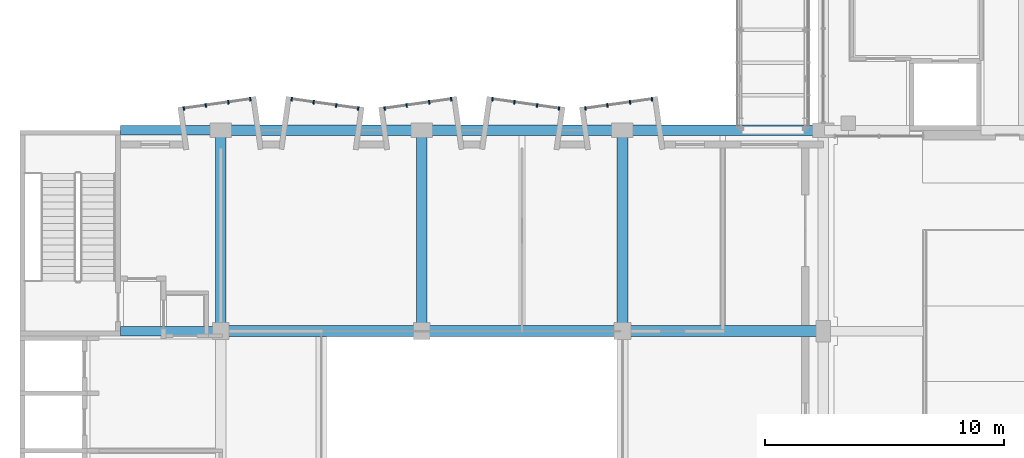
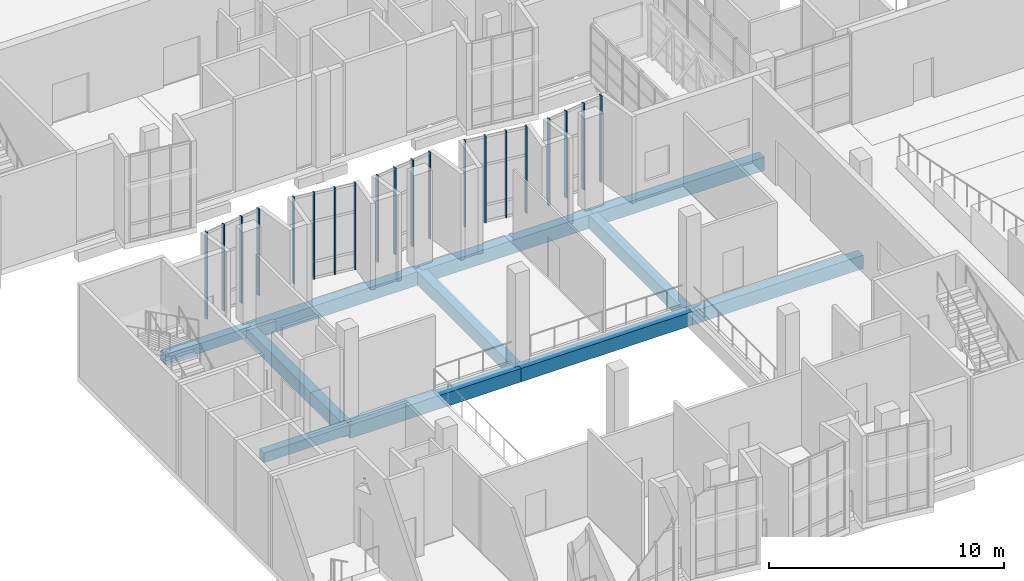
# One storey, part 4 of 67: 20 members, 11 beams, 5 elements without a shape of their own.
"""IFC4 building model written with IfcOpenShell, lengths in metres."""

from ifc_helpers import new_model, si_unit, direction, frame, origin, origin_2d, place, context, subcontext, project, spatial, rectangle, extrude, material, layer, layer_set, material_profile, profile_set, type_object, element, aggregate, save


model = new_model("IFC4")

# Units and contexts
model_context = context("Model", 3, precision=1e-05, world=origin(), true_north=direction((0.0, 1.0)))
body_context = subcontext(model_context, "Body", "Model", "MODEL_VIEW")
ifc_project = project(units=[si_unit("LENGTHUNIT", "METRE"), si_unit("AREAUNIT", "SQUARE_METRE"), si_unit("VOLUMEUNIT", "CUBIC_METRE"), si_unit("PLANEANGLEUNIT", "RADIAN"), si_unit("MASSUNIT", "GRAM", prefix="KILO")], contexts=[model_context])

# Site, building, storey
site_placement = place(None, origin())
site = spatial("IfcSite", under=ifc_project, at=site_placement, CompositionType="ELEMENT")
building_placement = place(site_placement, origin())
building = spatial("IfcBuilding", under=site, at=building_placement, Name="Kiln Court Media Centre", CompositionType="ELEMENT")
storey_placement = place(building_placement, frame((0.0, 0.0, 19.800048828125)))
storey = spatial("IfcBuildingStorey", under=building, at=storey_placement, Name="L04", CompositionType="ELEMENT", Elevation=19.800048828125)

# Curtain wall, members
ifc_material_1 = material(Name="Aluminium 6063-T6", Category="aluminium")
ifc_layer = layer(ifc_material_1, 0.1201171875)
ifc_layer_set = layer_set([ifc_layer], Name="Aluminium unitised bay curtain wall")
curtain_wall_type = type_object("IfcCurtainWallType", Name="Aluminium unitised bay curtain wall", PredefinedType="USERDEFINED", material=ifc_layer_set)
curtain_wall_1_placement = place(storey_placement, origin())
curtain_wall_1 = element("IfcCurtainWall", 1, at=curtain_wall_1_placement, inside=storey, type_object=curtain_wall_type, Name="BAY V6A-N-L04-24 front", ObjectType="UNITISED CURTAIN WALL", PredefinedType="USERDEFINED")
ifc_material_2 = material(Name="Aluminium 6063-T6", Category="aluminium")
ifc_material_profile_1 = material_profile(ifc_material_2, rectangle(XDim=0.06005859375, YDim=0.159912109375, at=origin_2d()), Name="Aluminium mullion 60x160")
ifc_profile_set_1 = profile_set([ifc_material_profile_1], Name="Aluminium 6063-T6")
member_type = type_object("IfcMemberType", Name="Aluminium mullion 60x160", PredefinedType="MULLION", material=ifc_profile_set_1)
member_1_placement = place(storey_placement, frame((6.852783203125, 26.113525390625, 0.0), z_axis=(0.0, 0.0, 1.0), x_axis=(0.990269562409, 0.139162472554, 0.0)))
member_1 = element("IfcMember", 2, at=member_1_placement, type_object=member_type, Name="CW4-03 mullion 1", PredefinedType="MULLION", context=body_context, shape_type="SweptSolid", body=[
    extrude(rectangle(XDim=0.06005859375, YDim=0.159912109375, at=origin_2d()), origin(), (0.0, 0.0, 1.0), 4.5),
])
member_2_placement = place(storey_placement, frame((7.7705078125, 26.242431640625, 0.0), z_axis=(0.0, 0.0, 1.0), x_axis=(0.990269562409, 0.139162472554, 0.0)))
member_2 = element("IfcMember", 3, at=member_2_placement, type_object=member_type, Name="CW4-03 mullion 2", PredefinedType="MULLION", context=body_context, shape_type="SweptSolid", body=[
    extrude(rectangle(XDim=0.06005859375, YDim=0.159912109375, at=origin_2d()), origin(), (0.0, 0.0, 1.0), 4.5),
])
member_3_placement = place(storey_placement, frame((8.7177734375, 26.375732421875, 0.0), z_axis=(0.0, 0.0, 1.0), x_axis=(0.990269562409, 0.139162472554, 0.0)))
member_3 = element("IfcMember", 4, at=member_3_placement, type_object=member_type, Name="CW4-03 mullion 3", PredefinedType="MULLION", context=body_context, shape_type="SweptSolid", body=[
    extrude(rectangle(XDim=0.06005859375, YDim=0.159912109375, at=origin_2d()), origin(), (0.0, 0.0, 1.0), 4.5),
])
member_4_placement = place(storey_placement, frame((9.635498046875, 26.504638671875, 0.0), z_axis=(0.0, 0.0, 1.0), x_axis=(0.990269562409, 0.139162472554, 0.0)))
member_4 = element("IfcMember", 5, at=member_4_placement, type_object=member_type, Name="CW4-03 mullion 4", PredefinedType="MULLION", context=body_context, shape_type="SweptSolid", body=[
    extrude(rectangle(XDim=0.06005859375, YDim=0.159912109375, at=origin_2d()), origin(), (0.0, 0.0, 1.0), 4.5),
])
aggregate(curtain_wall_1, [member_1, member_2, member_3, member_4])

curtain_wall_2_placement = place(storey_placement, origin())
curtain_wall_2 = element("IfcCurtainWall", 6, at=curtain_wall_2_placement, inside=storey, type_object=curtain_wall_type, Name="BAY V6A-N-L04-25 front", ObjectType="UNITISED CURTAIN WALL", PredefinedType="USERDEFINED")
member_5_placement = place(storey_placement, frame((11.364501953125, 26.504638671875, 0.0), z_axis=(0.0, 0.0, 1.0), x_axis=(0.990269562409, -0.139162472554, 0.0)))
member_5 = element("IfcMember", 7, at=member_5_placement, type_object=member_type, Name="CW4-04 mullion 1", PredefinedType="MULLION", context=body_context, shape_type="SweptSolid", body=[
    extrude(rectangle(XDim=0.06005859375, YDim=0.159912109375, at=origin_2d()), origin(), (0.0, 0.0, 1.0), 4.5),
])
member_6_placement = place(storey_placement, frame((12.2822265625, 26.375732421875, 0.0), z_axis=(0.0, 0.0, 1.0), x_axis=(0.990269562409, -0.139162472554, 0.0)))
member_6 = element("IfcMember", 8, at=member_6_placement, type_object=member_type, Name="CW4-04 mullion 2", PredefinedType="MULLION", context=body_context, shape_type="SweptSolid", body=[
    extrude(rectangle(XDim=0.06005859375, YDim=0.159912109375, at=origin_2d()), origin(), (0.0, 0.0, 1.0), 4.5),
])
member_7_placement = place(storey_placement, frame((13.2294921875, 26.242431640625, 0.0), z_axis=(0.0, 0.0, 1.0), x_axis=(0.990269562409, -0.139162472554, 0.0)))
member_7 = element("IfcMember", 9, at=member_7_placement, type_object=member_type, Name="CW4-04 mullion 3", PredefinedType="MULLION", context=body_context, shape_type="SweptSolid", body=[
    extrude(rectangle(XDim=0.06005859375, YDim=0.159912109375, at=origin_2d()), origin(), (0.0, 0.0, 1.0), 4.5),
])
member_8_placement = place(storey_placement, frame((14.147216796875, 26.113525390625, 0.0), z_axis=(0.0, 0.0, 1.0), x_axis=(0.990269562409, -0.139162472554, 0.0)))
member_8 = element("IfcMember", 10, at=member_8_placement, type_object=member_type, Name="CW4-04 mullion 4", PredefinedType="MULLION", context=body_context, shape_type="SweptSolid", body=[
    extrude(rectangle(XDim=0.06005859375, YDim=0.159912109375, at=origin_2d()), origin(), (0.0, 0.0, 1.0), 4.5),
])
aggregate(curtain_wall_2, [member_5, member_6, member_7, member_8])

curtain_wall_3_placement = place(storey_placement, origin())
curtain_wall_3 = element("IfcCurtainWall", 11, at=curtain_wall_3_placement, inside=storey, type_object=curtain_wall_type, Name="BAY V6A-N-L04-26 front", ObjectType="UNITISED CURTAIN WALL", PredefinedType="USERDEFINED")
member_9_placement = place(storey_placement, frame((15.2529296875, 26.113525390625, 0.0), z_axis=(0.0, 0.0, 1.0), x_axis=(0.990269562409, 0.139162472554, 0.0)))
member_9 = element("IfcMember", 12, at=member_9_placement, type_object=member_type, Name="CW4-05 mullion 1", PredefinedType="MULLION", context=body_context, shape_type="SweptSolid", body=[
    extrude(rectangle(XDim=0.06005859375, YDim=0.159912109375, at=origin_2d()), origin(), (0.0, 0.0, 1.0), 4.5),
])
member_10_placement = place(storey_placement, frame((16.17041015625, 26.242431640625, 0.0), z_axis=(0.0, 0.0, 1.0), x_axis=(0.990269562409, 0.139162472554, 0.0)))
member_10 = element("IfcMember", 13, at=member_10_placement, type_object=member_type, Name="CW4-05 mullion 2", PredefinedType="MULLION", context=body_context, shape_type="SweptSolid", body=[
    extrude(rectangle(XDim=0.06005859375, YDim=0.159912109375, at=origin_2d()), origin(), (0.0, 0.0, 1.0), 4.5),
])
member_11_placement = place(storey_placement, frame((17.117919921875, 26.375732421875, 0.0), z_axis=(0.0, 0.0, 1.0), x_axis=(0.990269562409, 0.139162472554, 0.0)))
member_11 = element("IfcMember", 14, at=member_11_placement, type_object=member_type, Name="CW4-05 mullion 3", PredefinedType="MULLION", context=body_context, shape_type="SweptSolid", body=[
    extrude(rectangle(XDim=0.06005859375, YDim=0.159912109375, at=origin_2d()), origin(), (0.0, 0.0, 1.0), 4.5),
])
member_12_placement = place(storey_placement, frame((18.035400390625, 26.504638671875, 0.0), z_axis=(0.0, 0.0, 1.0), x_axis=(0.990269562409, 0.139162472554, 0.0)))
member_12 = element("IfcMember", 15, at=member_12_placement, type_object=member_type, Name="CW4-05 mullion 4", PredefinedType="MULLION", context=body_context, shape_type="SweptSolid", body=[
    extrude(rectangle(XDim=0.06005859375, YDim=0.159912109375, at=origin_2d()), origin(), (0.0, 0.0, 1.0), 4.5),
])
aggregate(curtain_wall_3, [member_9, member_10, member_11, member_12])

curtain_wall_4_placement = place(storey_placement, origin())
curtain_wall_4 = element("IfcCurtainWall", 16, at=curtain_wall_4_placement, inside=storey, type_object=curtain_wall_type, Name="BAY V6A-N-L04-27 front", ObjectType="UNITISED CURTAIN WALL", PredefinedType="USERDEFINED")
member_13_placement = place(storey_placement, frame((19.764404296875, 26.504638671875, 0.0), z_axis=(0.0, 0.0, 1.0), x_axis=(0.990269562409, -0.139162472554, 0.0)))
member_13 = element("IfcMember", 17, at=member_13_placement, type_object=member_type, Name="CW4-06 mullion 1", PredefinedType="MULLION", context=body_context, shape_type="SweptSolid", body=[
    extrude(rectangle(XDim=0.06005859375, YDim=0.159912109375, at=origin_2d()), origin(), (0.0, 0.0, 1.0), 4.5),
])
member_14_placement = place(storey_placement, frame((20.68212890625, 26.375732421875, 0.0), z_axis=(0.0, 0.0, 1.0), x_axis=(0.990269562409, -0.139162472554, 0.0)))
member_14 = element("IfcMember", 18, at=member_14_placement, type_object=member_type, Name="CW4-06 mullion 2", PredefinedType="MULLION", context=body_context, shape_type="SweptSolid", body=[
    extrude(rectangle(XDim=0.06005859375, YDim=0.159912109375, at=origin_2d()), origin(), (0.0, 0.0, 1.0), 4.5),
])
member_15_placement = place(storey_placement, frame((21.629638671875, 26.242431640625, 0.0), z_axis=(0.0, 0.0, 1.0), x_axis=(0.990269562409, -0.139162472554, 0.0)))
member_15 = element("IfcMember", 19, at=member_15_placement, type_object=member_type, Name="CW4-06 mullion 3", PredefinedType="MULLION", context=body_context, shape_type="SweptSolid", body=[
    extrude(rectangle(XDim=0.06005859375, YDim=0.159912109375, at=origin_2d()), origin(), (0.0, 0.0, 1.0), 4.5),
])
member_16_placement = place(storey_placement, frame((22.547119140625, 26.113525390625, 0.0), z_axis=(0.0, 0.0, 1.0), x_axis=(0.990269562409, -0.139162472554, 0.0)))
member_16 = element("IfcMember", 20, at=member_16_placement, type_object=member_type, Name="CW4-06 mullion 4", PredefinedType="MULLION", context=body_context, shape_type="SweptSolid", body=[
    extrude(rectangle(XDim=0.06005859375, YDim=0.159912109375, at=origin_2d()), origin(), (0.0, 0.0, 1.0), 4.5),
])
aggregate(curtain_wall_4, [member_13, member_14, member_15, member_16])

curtain_wall_5_placement = place(storey_placement, origin())
curtain_wall_5 = element("IfcCurtainWall", 21, at=curtain_wall_5_placement, inside=storey, type_object=curtain_wall_type, Name="BAY V6A-N-L04-28 front", ObjectType="UNITISED CURTAIN WALL", PredefinedType="USERDEFINED")
member_17_placement = place(storey_placement, frame((23.65283203125, 26.113525390625, 0.0), z_axis=(0.0, 0.0, 1.0), x_axis=(0.990269562409, 0.139162472554, 0.0)))
member_17 = element("IfcMember", 22, at=member_17_placement, type_object=member_type, Name="CW4-07 mullion 1", PredefinedType="MULLION", context=body_context, shape_type="SweptSolid", body=[
    extrude(rectangle(XDim=0.06005859375, YDim=0.159912109375, at=origin_2d()), origin(), (0.0, 0.0, 1.0), 4.5),
])
member_18_placement = place(storey_placement, frame((24.570556640625, 26.242431640625, 0.0), z_axis=(0.0, 0.0, 1.0), x_axis=(0.990269562409, 0.139162472554, 0.0)))
member_18 = element("IfcMember", 23, at=member_18_placement, type_object=member_type, Name="CW4-07 mullion 2", PredefinedType="MULLION", context=body_context, shape_type="SweptSolid", body=[
    extrude(rectangle(XDim=0.06005859375, YDim=0.159912109375, at=origin_2d()), origin(), (0.0, 0.0, 1.0), 4.5),
])
member_19_placement = place(storey_placement, frame((25.517822265625, 26.375732421875, 0.0), z_axis=(0.0, 0.0, 1.0), x_axis=(0.990269562409, 0.139162472554, 0.0)))
member_19 = element("IfcMember", 24, at=member_19_placement, type_object=member_type, Name="CW4-07 mullion 3", PredefinedType="MULLION", context=body_context, shape_type="SweptSolid", body=[
    extrude(rectangle(XDim=0.06005859375, YDim=0.159912109375, at=origin_2d()), origin(), (0.0, 0.0, 1.0), 4.5),
])
member_20_placement = place(storey_placement, frame((26.435546875, 26.504638671875, 0.0), z_axis=(0.0, 0.0, 1.0), x_axis=(0.990269562409, 0.139162472554, 0.0)))
member_20 = element("IfcMember", 25, at=member_20_placement, type_object=member_type, Name="CW4-07 mullion 4", PredefinedType="MULLION", context=body_context, shape_type="SweptSolid", body=[
    extrude(rectangle(XDim=0.06005859375, YDim=0.159912109375, at=origin_2d()), origin(), (0.0, 0.0, 1.0), 4.5),
])
aggregate(curtain_wall_5, [member_17, member_18, member_19, member_20])

# Beams
ifc_material_3 = material(Name="Concrete C30/37", Category="concrete")
ifc_material_profile_2 = material_profile(ifc_material_3, rectangle(XDim=0.39990234375, YDim=0.5, at=origin_2d()), Name="RC 400x500")
ifc_profile_set_2 = profile_set([ifc_material_profile_2], Name="Concrete C30/37")
beam_type_1 = type_object("IfcBeamType", Name="Concrete C30/37 beam 400x500", PredefinedType="BEAM", material=ifc_profile_set_2)
for number, where, z_axis, x_axis, name in (
    (26, (4.199951171875, 16.800048828125, -0.550048828125), (1.0, 0.0, 0.0), (0.0, 1.0, 0.0), "L04-B-1031"),
    (27, (4.199951171875, 25.199951171875, -0.550048828125), (1.0, 0.0, 0.0), (0.0, 1.0, 0.0), "L04-B-1035"),
):
    element("IfcBeam", number, at=place(storey_placement, frame(where, z_axis=z_axis, x_axis=x_axis)), inside=storey, type_object=beam_type_1, Name=name, PredefinedType="BEAM", context=body_context, shape_type="SweptSolid", body=[
        extrude(rectangle(XDim=0.39990234375, YDim=0.5, at=origin_2d()), origin(), (0.0, 0.0, 1.0), 4.199951171875),
    ])
ifc_material_4 = material(Name="Concrete C30/37", Category="concrete")
ifc_material_profile_3 = material_profile(ifc_material_4, rectangle(XDim=0.449951171875, YDim=0.699951171875, at=origin_2d()), Name="RC 450x700")
ifc_profile_set_3 = profile_set([ifc_material_profile_3], Name="Concrete C30/37")
beam_type_2 = type_object("IfcBeamType", Name="Concrete C30/37 beam 450x700", PredefinedType="BEAM", material=ifc_profile_set_3)
for number, where, z_axis, x_axis, name in (
    (28, (8.39990234375, 16.800048828125, -0.650146484375), (0.0, 1.0, 0.0), (-1.0, 0.0, 0.0), "L04-B-1014"),
    (29, (16.800048828125, 16.800048828125, -0.650146484375), (0.0, 1.0, 0.0), (-1.0, 0.0, 0.0), "L04-B-1016"),
    (30, (25.199951171875, 16.800048828125, -0.650146484375), (0.0, 1.0, 0.0), (-1.0, 0.0, 0.0), "L04-B-1019"),
):
    element("IfcBeam", number, at=place(storey_placement, frame(where, z_axis=z_axis, x_axis=x_axis)), inside=storey, type_object=beam_type_2, Name=name, PredefinedType="BEAM", context=body_context, shape_type="SweptSolid", body=[
        extrude(rectangle(XDim=0.449951171875, YDim=0.699951171875, at=origin_2d()), origin(), (0.0, 0.0, 1.0), 8.39990234375),
    ])
beam_1_placement = place(storey_placement, frame((8.39990234375, 16.800048828125, -0.650146484375), z_axis=(1.0, 0.0, 0.0), x_axis=(0.0, 1.0, 0.0)))
element("IfcBeam", 31, at=beam_1_placement, inside=storey, type_object=beam_type_2, Name="L04-B-1032", PredefinedType="BEAM", context=body_context, shape_type="SweptSolid", body=[
    extrude(rectangle(XDim=0.449951171875, YDim=0.699951171875, at=origin_2d()), origin(), (0.0, 0.0, 1.0), 8.400146484375),
])
beam_2_placement = place(storey_placement, frame((16.800048828125, 16.800048828125, -0.650146484375), z_axis=(1.0, 0.0, 0.0), x_axis=(0.0, 1.0, 0.0)))
element("IfcBeam", 32, at=beam_2_placement, inside=storey, type_object=beam_type_2, Name="L04-B-1033", PredefinedType="BEAM", context=body_context, shape_type="SweptSolid", body=[
    extrude(rectangle(XDim=0.449951171875, YDim=0.699951171875, at=origin_2d()), origin(), (0.0, 0.0, 1.0), 8.39990234375),
])
for number, where, z_axis, x_axis, name in (
    (33, (25.199951171875, 16.800048828125, -0.650146484375), (1.0, 0.0, 0.0), (0.0, 1.0, 0.0), "L04-B-1034"),
    (34, (8.39990234375, 25.199951171875, -0.650146484375), (1.0, 0.0, 0.0), (0.0, 1.0, 0.0), "L04-B-1036"),
):
    element("IfcBeam", number, at=place(storey_placement, frame(where, z_axis=z_axis, x_axis=x_axis)), inside=storey, type_object=beam_type_2, Name=name, PredefinedType="BEAM", context=body_context, shape_type="SweptSolid", body=[
        extrude(rectangle(XDim=0.449951171875, YDim=0.699951171875, at=origin_2d()), origin(), (0.0, 0.0, 1.0), 8.400146484375),
    ])
beam_3_placement = place(storey_placement, frame((16.800048828125, 25.199951171875, -0.650146484375), z_axis=(1.0, 0.0, 0.0), x_axis=(0.0, 1.0, 0.0)))
element("IfcBeam", 35, at=beam_3_placement, inside=storey, type_object=beam_type_2, Name="L04-B-1037", PredefinedType="BEAM", context=body_context, shape_type="SweptSolid", body=[
    extrude(rectangle(XDim=0.449951171875, YDim=0.699951171875, at=origin_2d()), origin(), (0.0, 0.0, 1.0), 8.39990234375),
])
beam_4_placement = place(storey_placement, frame((25.199951171875, 25.199951171875, -0.650146484375), z_axis=(1.0, 0.0, 0.0), x_axis=(0.0, 1.0, 0.0)))
element("IfcBeam", 36, at=beam_4_placement, inside=storey, type_object=beam_type_2, Name="L04-B-1038", PredefinedType="BEAM", context=body_context, shape_type="SweptSolid", body=[
    extrude(rectangle(XDim=0.449951171875, YDim=0.699951171875, at=origin_2d()), origin(), (0.0, 0.0, 1.0), 8.400146484375),
])

save(model, "model.ifc")
